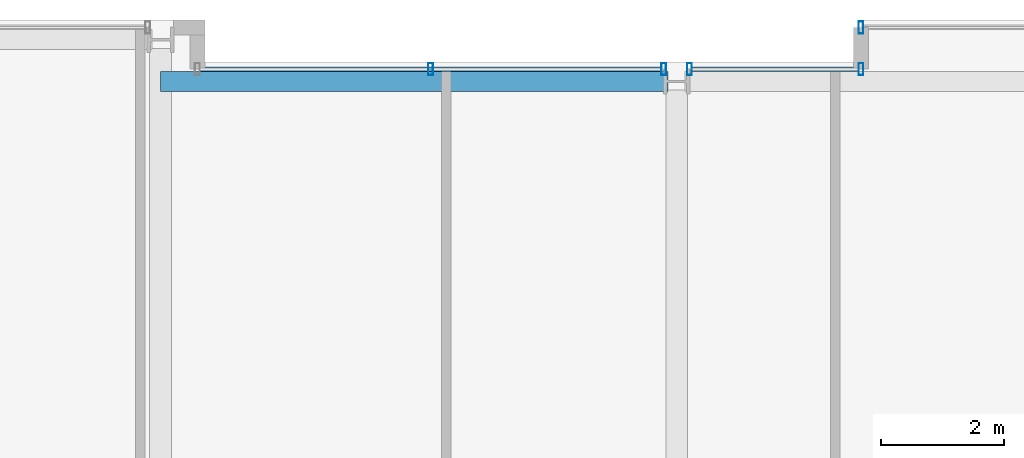
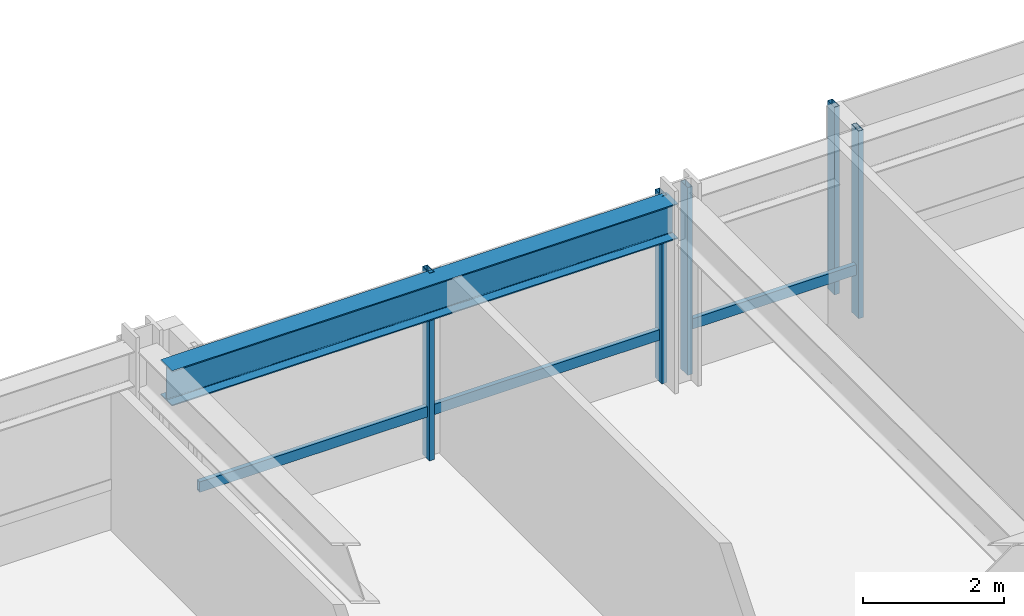
# One storey, part 22 of 34: 7 members, 1 beam, 3 elements without a shape of their own.
"""IFC4 building model written with IfcOpenShell, lengths in metres."""

from ifc_helpers import new_model, si_unit, direction, frame, origin, origin_2d, place, context, subcontext, project, spatial, hollow_rectangle, i_section, extrude, material, layer, layer_set, material_profile, profile_set, type_object, element, aggregate, save


model = new_model("IFC4")

# Units and contexts
model_context = context("Model", 3, precision=1e-05, world=origin(), true_north=direction((0.0, 1.0)))
body_context = subcontext(model_context, "Body", "Model", "MODEL_VIEW")
ifc_project = project(units=[si_unit("LENGTHUNIT", "METRE"), si_unit("AREAUNIT", "SQUARE_METRE"), si_unit("VOLUMEUNIT", "CUBIC_METRE"), si_unit("PLANEANGLEUNIT", "RADIAN"), si_unit("MASSUNIT", "GRAM", prefix="KILO")], contexts=[model_context])

# Site, building, storey
site_placement = place(None, origin())
site = spatial("IfcSite", under=ifc_project, at=site_placement, CompositionType="ELEMENT")
building_placement = place(site_placement, origin())
building = spatial("IfcBuilding", under=site, at=building_placement, Name="Drelvath Grand Hotel", CompositionType="ELEMENT")
storey_placement = place(building_placement, frame((0.0, 0.0, 126.800048828125)))
storey = spatial("IfcBuildingStorey", under=building, at=storey_placement, Name="L32", CompositionType="ELEMENT", Elevation=126.800048828125)

# Curtain wall, member
ifc_material_1 = material(Name="Champagne Bronze Anodised Aluminium Frame", Category="aluminium")
ifc_layer = layer(ifc_material_1, 0.199951171875)
ifc_layer_set = layer_set([ifc_layer], Name="Champagne Bronze Anodised Aluminium Frame")
curtain_wall_type = type_object("IfcCurtainWallType", Name="Stick Curtain Wall CW-03 Champagne Bronze Mid-Rise", PredefinedType="NOTDEFINED", material=ifc_layer_set)
curtain_wall_1_placement = place(storey_placement, origin())
curtain_wall_1 = element("IfcCurtainWall", 1, at=curtain_wall_1_placement, inside=storey, type_object=curtain_wall_type, Name="L32 CW-03 Curtain Wall CW03-L32-NM1", PredefinedType="NOTDEFINED")
ifc_material_profile_1 = material_profile(ifc_material_1, hollow_rectangle(XDim=0.074951171875, YDim=0.179931640625, WallThickness=0.0048828125, at=origin_2d()), Name="HSS180X75X5")
ifc_profile_set_1 = profile_set([ifc_material_profile_1], Name="Champagne Bronze Anodised Aluminium Frame")
member_type_1 = type_object("IfcMemberType", Name="Curtain Wall Horizontal Transom CW-03 HSS180X75X5", PredefinedType="USERDEFINED", material=ifc_profile_set_1)
member_1_placement = place(storey_placement, frame((-7.760009765625, 53.199951171875, 0.81005859375), z_axis=(1.0, 0.0, 0.0), x_axis=(0.0, 1.0, 0.0)))
member_1 = element("IfcMember", 2, at=member_1_placement, type_object=member_type_1, Name="CW03-L32-NM1 Sill Transom", ObjectType="TRANSOM", PredefinedType="USERDEFINED", context=body_context, shape_type="SweptSolid", body=[
    extrude(hollow_rectangle(XDim=0.074951171875, YDim=0.179931640625, WallThickness=0.0048828125, at=origin_2d()), origin(), (0.0, 0.0, 1.0), 7.510498046875),
])

curtain_wall_2_placement = place(storey_placement, origin())
curtain_wall_2 = element("IfcCurtainWall", 3, at=curtain_wall_2_placement, inside=storey, type_object=curtain_wall_type, Name="L32 CW-03 Curtain Wall CW03-L32-NM2", PredefinedType="NOTDEFINED")
member_2_placement = place(storey_placement, frame((0.24951171875, 53.199951171875, 0.81005859375), z_axis=(1.0, 0.0, 0.0), x_axis=(0.0, 1.0, 0.0)))
member_2 = element("IfcMember", 4, at=member_2_placement, type_object=member_type_1, Name="CW03-L32-NM2 Sill Transom", ObjectType="TRANSOM", PredefinedType="USERDEFINED", context=body_context, shape_type="SweptSolid", body=[
    extrude(hollow_rectangle(XDim=0.074951171875, YDim=0.179931640625, WallThickness=0.0048828125, at=origin_2d()), origin(), (0.0, 0.0, 1.0), 2.71044921875),
])

# Member
ifc_material_profile_2 = material_profile(ifc_material_1, hollow_rectangle(XDim=0.080078125, YDim=0.199951171875, WallThickness=0.0048828125, at=origin_2d()), Name="HSS200X80X5")
ifc_profile_set_2 = profile_set([ifc_material_profile_2], Name="Champagne Bronze Anodised Aluminium Frame")
member_type_2 = type_object("IfcMemberType", Name="Curtain Wall Vertical Mullion CW-03 HSS200X80X5", PredefinedType="MULLION", material=ifc_profile_set_2)
member_3_placement = place(storey_placement, frame((-4.004638671875, 53.199951171875, 0.0), z_axis=(0.0, 0.0, 1.0), x_axis=(1.0, 0.0, 0.0)))
member_3 = element("IfcMember", 5, at=member_3_placement, type_object=member_type_2, Name="CW03-L32-NM1 Mullion 2", PredefinedType="MULLION", context=body_context, shape_type="SweptSolid", body=[
    extrude(hollow_rectangle(XDim=0.080078125, YDim=0.199951171875, WallThickness=0.0048828125, at=origin_2d()), origin(), (0.0, 0.0, 1.0), 3.239990234375),
])

member_4_placement = place(storey_placement, frame((-0.20947265625, 53.199951171875, 0.0), z_axis=(0.0, 0.0, 1.0), x_axis=(1.0, 0.0, 0.0)))
member_4 = element("IfcMember", 6, at=member_4_placement, type_object=member_type_2, Name="CW03-L32-NM1 Mullion 3", PredefinedType="MULLION", context=body_context, shape_type="SweptSolid", body=[
    extrude(hollow_rectangle(XDim=0.080078125, YDim=0.199951171875, WallThickness=0.0048828125, at=origin_2d()), origin(), (0.0, 0.0, 1.0), 3.239990234375),
])

aggregate(curtain_wall_1, [member_3, member_4, member_1])

member_5_placement = place(storey_placement, frame((0.20947265625, 53.199951171875, 0.0), z_axis=(0.0, 0.0, 1.0), x_axis=(1.0, 0.0, 0.0)))
member_5 = element("IfcMember", 7, at=member_5_placement, type_object=member_type_2, Name="CW03-L32-NM2 Mullion 1", PredefinedType="MULLION", context=body_context, shape_type="SweptSolid", body=[
    extrude(hollow_rectangle(XDim=0.080078125, YDim=0.199951171875, WallThickness=0.0048828125, at=origin_2d()), origin(), (0.0, 0.0, 1.0), 3.239990234375),
])

member_6_placement = place(storey_placement, frame((3.0, 53.199951171875, 0.0), z_axis=(0.0, 0.0, 1.0), x_axis=(1.0, 0.0, 0.0)))
member_6 = element("IfcMember", 8, at=member_6_placement, type_object=member_type_2, Name="CW03-L32-NM2 Mullion 2", PredefinedType="MULLION", context=body_context, shape_type="SweptSolid", body=[
    extrude(hollow_rectangle(XDim=0.080078125, YDim=0.199951171875, WallThickness=0.0048828125, at=origin_2d()), origin(), (0.0, 0.0, 1.0), 3.239990234375),
])

aggregate(curtain_wall_2, [member_5, member_6, member_2])

# Curtain wall, member
curtain_wall_3_placement = place(storey_placement, origin())
curtain_wall_3 = element("IfcCurtainWall", 9, at=curtain_wall_3_placement, inside=storey, type_object=curtain_wall_type, Name="L32 CW-03 Curtain Wall CW03-L32-NE1", PredefinedType="NOTDEFINED")
member_7_placement = place(storey_placement, frame((3.0, 53.8798828125, 0.0), z_axis=(0.0, 0.0, 1.0), x_axis=(1.0, 0.0, 0.0)))
member_7 = element("IfcMember", 10, at=member_7_placement, type_object=member_type_2, Name="CW03-L32-NE1 Mullion 1", PredefinedType="MULLION", context=body_context, shape_type="SweptSolid", body=[
    extrude(hollow_rectangle(XDim=0.080078125, YDim=0.199951171875, WallThickness=0.0048828125, at=origin_2d()), origin(), (0.0, 0.0, 1.0), 3.239990234375),
])
aggregate(curtain_wall_3, [member_7])

# Beam
ifc_material_2 = material(Name="Steel ASTM A992 Gr 50", Category="steel")
ifc_material_profile_3 = material_profile(ifc_material_2, i_section(OverallWidth=0.323974609375, OverallDepth=0.611083984375, WebThickness=0.0126953125, FlangeThickness=0.01904296875, FilletRadius=0.02197265625, at=origin_2d()), Name="W24X104")
ifc_profile_set_3 = profile_set([ifc_material_profile_3], Name="Steel ASTM A992 Gr 50")
beam_type = type_object("IfcBeamType", Name="Perimeter Spandrel Beam W24X104", PredefinedType="SPANDREL", material=ifc_profile_set_3)
beam_placement = place(storey_placement, frame((-8.39990234375, 53.0, 2.934326171875), z_axis=(1.0, 0.0, 0.0), x_axis=(0.0, 1.0, 0.0)))
element("IfcBeam", 11, at=beam_placement, inside=storey, type_object=beam_type, Name="L32 Spandrel North Mid W", PredefinedType="SPANDREL", context=body_context, shape_type="SweptSolid", body=[
    extrude(i_section(OverallWidth=0.323974609375, OverallDepth=0.611083984375, WebThickness=0.0126953125, FlangeThickness=0.01904296875, FilletRadius=0.02197265625, at=origin_2d()), origin(), (0.0, 0.0, 1.0), 8.260009765625),
])

save(model, "model.ifc")
